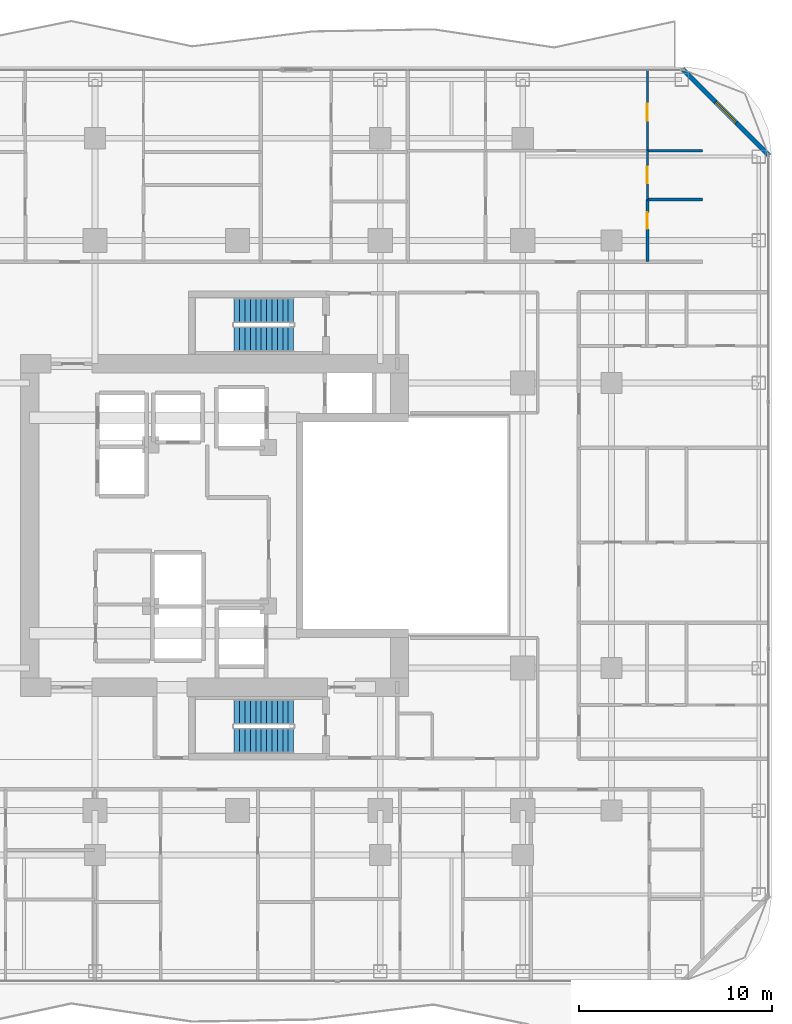
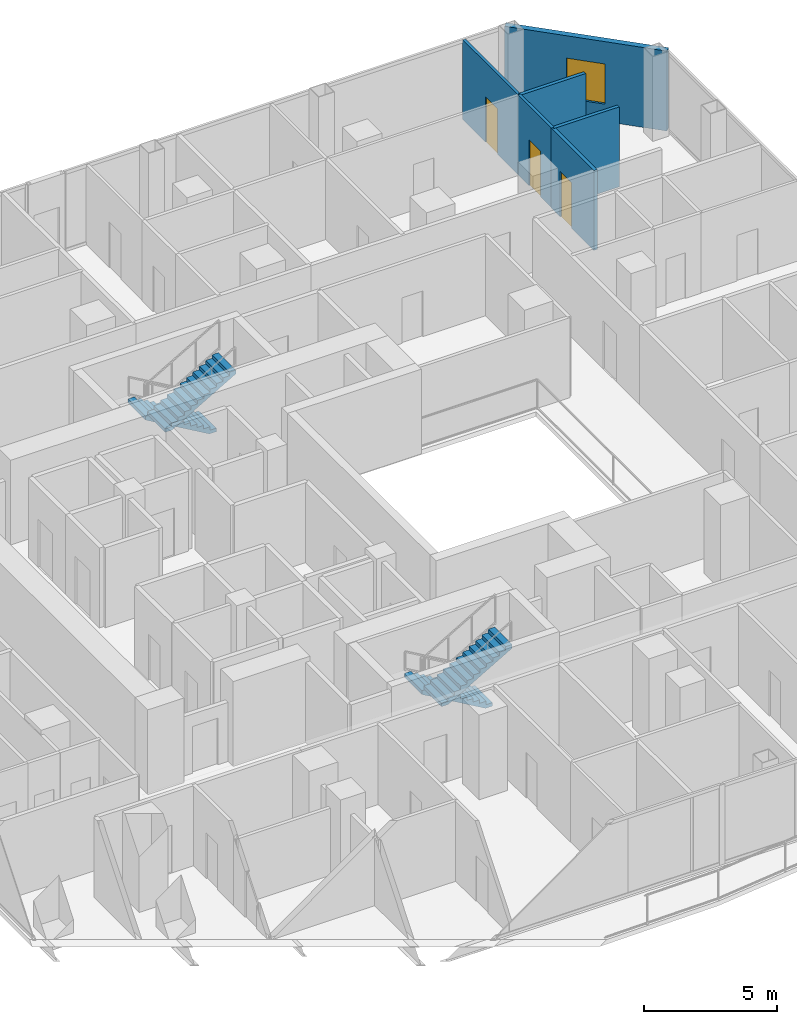
# One storey, part 26 of 29: 6 walls, 4 stair flights, 3 doors, 1 window, 4 openings, 2 elements without a shape of their own.
"""IFC4 building model written with IfcOpenShell, lengths in metres."""

from ifc_helpers import new_model, si_unit, direction, frame, frame_2d, origin, place, context, subcontext, project, spatial, polyline, rectangle, outline, extrude, material, layer, layer_set, type_object, element, fill, aggregate, save


model = new_model("IFC4")

# Units and contexts
model_context = context("Model", 3, precision=1e-05, world=origin(), true_north=direction((0.0, 1.0)))
body_context = subcontext(model_context, "Body", "Model", "MODEL_VIEW")
ifc_project = project(units=[si_unit("LENGTHUNIT", "METRE"), si_unit("AREAUNIT", "SQUARE_METRE"), si_unit("VOLUMEUNIT", "CUBIC_METRE"), si_unit("PLANEANGLEUNIT", "RADIAN"), si_unit("MASSUNIT", "GRAM", prefix="KILO")], contexts=[model_context])

# Site, building, storey
site_placement = place(None, origin())
site = spatial("IfcSite", under=ifc_project, at=site_placement, CompositionType="ELEMENT")
building_placement = place(site_placement, origin())
building = spatial("IfcBuilding", under=site, at=building_placement, Name="Khorvyn Point Tower", CompositionType="ELEMENT")
storey_placement = place(building_placement, frame((0.0, 0.0, 140.699951171875)))
storey = spatial("IfcBuildingStorey", under=building, at=storey_placement, Name="L35", CompositionType="ELEMENT", Elevation=140.699951171875)

# Wall, opening, window
ifc_material_1 = material(Name="Pale anodised aluminium rainscreen on steel stud", Category="steel")
ifc_layer_1 = layer(ifc_material_1, 0.239990234375)
ifc_layer_set_1 = layer_set([ifc_layer_1], Name="Anodised Aluminium Insulated Corner Spandrel Wall 240")
wall_type_1 = type_object("IfcWallType", Name="Anodised Aluminium Insulated Corner Spandrel Wall 240", PredefinedType="SOLIDWALL", material=ifc_layer_set_1)
wall_1_placement = place(storey_placement, frame((23.107666015625, 23.6923828125, 0.0), z_axis=(0.0, 0.0, 1.0), x_axis=(0.707087534163, -0.707126027686, 0.0)))
wall_1 = element("IfcWall", 1, at=wall_1_placement, inside=storey, type_object=wall_type_1, Name="L35 Rounded Corner Wall NE", PredefinedType="SOLIDWALL", context=body_context, shape_type="SweptSolid", body=[
    extrude(rectangle(XDim=6.34228515625, YDim=0.239990234375, at=frame_2d((3.171142578125, 0.0))), origin(), (0.0, 0.0, 1.0), 3.679931640625),
])
opening_1_placement = place(wall_1_placement, frame((2.42138671875, 0.0, 0.800048828125)))
opening_1 = element("IfcOpeningElement", 2, at=opening_1_placement, cuts=wall_1, Name="Opening WN-1518", PredefinedType="OPENING", context=body_context, shape_type="SweptSolid", body=[
    extrude(rectangle(XDim=1.5, YDim=1.85009765625, at=frame_2d((0.75, 0.925048828125))), frame((0.0, 0.1298828125, 0.0), z_axis=(0.0, -1.0, 0.0), x_axis=(1.0, 0.0, 0.0)), (0.0, 0.0, 1.0), 0.260009765625),
])
ifc_material_2 = material(Name="Anodised aluminium 6063-T6 and laminated Low-E glass", Category="aluminium")
window_type = type_object("IfcWindowType", Name="Anodised Aluminium Rounded-Corner Panoramic Window 1500x1850", PartitioningType="SINGLE_PANEL", PredefinedType="WINDOW", material=ifc_material_2)
window_placement = place(opening_1_placement, origin())
window = element("IfcWindow", 3, at=window_placement, inside=storey, type_object=window_type, Name="L35 Corner Panoramic Window NE", OverallHeight=1.85009765625, OverallWidth=1.5, PartitioningType="SINGLE_PANEL", PredefinedType="WINDOW", context=body_context, shape_type="SweptSolid", body=[
    extrude(rectangle(XDim=1.5, YDim=1.85009765625, at=frame_2d((0.75, 0.925048828125))), frame((0.0, 0.030029296875, 0.0), z_axis=(0.0, -1.0, 0.0), x_axis=(1.0, 0.0, 0.0)), (0.0, 0.0, 1.0), 0.06005859375),
])
fill(opening_1, window)

# Wall, opening, door
ifc_material_3 = material(Name="Gypsum plasterboard on steel stud", Category="steel")
ifc_layer_2 = layer(ifc_material_3, 0.1201171875)
ifc_layer_set_2 = layer_set([ifc_layer_2], Name="Gypsum Acoustic Stud Room Partition Wall 120")
wall_type_2 = type_object("IfcWallType", Name="Gypsum Acoustic Stud Room Partition Wall 120", PredefinedType="PARTITIONING", material=ifc_layer_set_2)
wall_2_placement = place(storey_placement, frame((21.27001953125, 16.923095703125, 0.0), z_axis=(0.0, 0.0, 1.0), x_axis=(0.0, 1.0, 0.0)))
wall_2 = element("IfcWall", 4, at=wall_2_placement, inside=storey, type_object=wall_type_2, Name="Wall", PredefinedType="PARTITIONING", context=body_context, shape_type="SweptSolid", body=[
    extrude(rectangle(XDim=2.531982421875, YDim=0.1201171875, at=frame_2d((1.26611328125, 0.0))), origin(), (0.0, 0.0, 1.0), 3.679931640625),
])
opening_2_placement = place(wall_2_placement, frame((0.841064453125, 0.0, 0.0)))
opening_2 = element("IfcOpeningElement", 5, at=opening_2_placement, cuts=wall_2, Name="Opening ID-WC85", PredefinedType="OPENING", context=body_context, shape_type="SweptSolid", body=[
    extrude(rectangle(XDim=0.85009765625, YDim=2.10009765625, at=frame_2d((0.425048828125, 1.050048828125))), frame((0.0, 0.070068359375, 0.0), z_axis=(0.0, -1.0, 0.0), x_axis=(1.0, 0.0, 0.0)), (0.0, 0.0, 1.0), 0.14013671875),
])
ifc_material_4 = material(Name="High-pressure laminate on moisture-resistant core", Category="wood")
door_type_1 = type_object("IfcDoorType", Name="Moisture-Resistant Accessible Washroom Door 850x2100", OperationType="NOTDEFINED", PredefinedType="DOOR", material=ifc_material_4)
door_1_placement = place(opening_2_placement, origin())
door_1 = element("IfcDoor", 6, at=door_1_placement, inside=storey, type_object=door_type_1, Name="Door", OperationType="SINGLE_SWING_RIGHT", OverallHeight=2.10009765625, OverallWidth=0.85009765625, PredefinedType="DOOR", context=body_context, shape_type="SweptSolid", body=[
    extrude(rectangle(XDim=0.85009765625, YDim=2.10009765625, at=frame_2d((0.425048828125, 1.050048828125))), frame((0.0, 0.02490234375, 0.0), z_axis=(0.0, -1.0, 0.0), x_axis=(1.0, 0.0, 0.0)), (0.0, 0.0, 1.0), 0.050048828125),
])
fill(opening_2, door_1)

wall_3_placement = place(storey_placement, frame((21.27001953125, 19.455078125, 0.0), z_axis=(0.0, 0.0, 1.0), x_axis=(0.0, 1.0, 0.0)))
wall_3 = element("IfcWall", 7, at=wall_3_placement, inside=storey, type_object=wall_type_2, Name="Wall", PredefinedType="PARTITIONING", context=body_context, shape_type="SweptSolid", body=[
    extrude(rectangle(XDim=4.1748046875, YDim=0.1201171875, at=frame_2d((2.08740234375, 0.0))), origin(), (0.0, 0.0, 1.0), 3.679931640625),
])
opening_3_placement = place(wall_3_placement, frame((1.550537109375, 0.0, 0.0)))
opening_3 = element("IfcOpeningElement", 8, at=opening_3_placement, cuts=wall_3, Name="Opening ID-RM90", PredefinedType="OPENING", context=body_context, shape_type="SweptSolid", body=[
    extrude(rectangle(XDim=0.89990234375, YDim=2.10009765625, at=frame_2d((0.449951171875, 1.050048828125))), frame((0.0, 0.070068359375, 0.0), z_axis=(0.0, -1.0, 0.0), x_axis=(1.0, 0.0, 0.0)), (0.0, 0.0, 1.0), 0.14013671875),
])
ifc_material_5 = material(Name="Engineered oak veneer timber", Category="wood")
door_type_2 = type_object("IfcDoorType", Name="Flush Engineered Timber Room Door 900x2100", OperationType="NOTDEFINED", PredefinedType="DOOR", material=ifc_material_5)
door_2_placement = place(opening_3_placement, origin())
door_2 = element("IfcDoor", 9, at=door_2_placement, inside=storey, type_object=door_type_2, Name="Door", OperationType="SINGLE_SWING_LEFT", OverallHeight=2.10009765625, OverallWidth=0.89990234375, PredefinedType="DOOR", context=body_context, shape_type="SweptSolid", body=[
    extrude(rectangle(XDim=0.89990234375, YDim=2.10009765625, at=frame_2d((0.449951171875, 1.050048828125))), frame((0.0, 0.02490234375, 0.0), z_axis=(0.0, -1.0, 0.0), x_axis=(1.0, 0.0, 0.0)), (0.0, 0.0, 1.0), 0.050048828125),
])
fill(opening_3, door_2)

ifc_material_6 = material(Name="Moisture-resistant gypsum and cement board", Category="gypsum")
ifc_layer_3 = layer(ifc_material_6, 0.14990234375)
ifc_layer_set_3 = layer_set([ifc_layer_3], Name="Moisture-Resistant Wet-Room Partition Wall 150")
wall_type_3 = type_object("IfcWallType", Name="Moisture-Resistant Wet-Room Partition Wall 150", PredefinedType="PARTITIONING", material=ifc_layer_set_3)
wall_4_placement = place(storey_placement, frame((21.27001953125, 13.699951171875, 0.0), z_axis=(0.0, 0.0, 1.0), x_axis=(0.0, 1.0, 0.0)))
wall_4 = element("IfcWall", 10, at=wall_4_placement, inside=storey, type_object=wall_type_3, Name="Wall", PredefinedType="PARTITIONING", context=body_context, shape_type="SweptSolid", body=[
    extrude(rectangle(XDim=3.22314453125, YDim=0.14990234375, at=frame_2d((1.611572265625, 0.0))), origin(), (0.0, 0.0, 1.0), 3.679931640625),
])
opening_4_placement = place(wall_4_placement, frame((1.69970703125, 0.0, 0.0)))
opening_4 = element("IfcOpeningElement", 11, at=opening_4_placement, cuts=wall_4, Name="Opening ID-WC85", PredefinedType="OPENING", context=body_context, shape_type="SweptSolid", body=[
    extrude(rectangle(XDim=0.85009765625, YDim=2.10009765625, at=frame_2d((0.425048828125, 1.050048828125))), frame((0.0, 0.0849609375, 0.0), z_axis=(0.0, -1.0, 0.0), x_axis=(1.0, 0.0, 0.0)), (0.0, 0.0, 1.0), 0.169921875),
])
door_3_placement = place(opening_4_placement, origin())
door_3 = element("IfcDoor", 12, at=door_3_placement, inside=storey, type_object=door_type_1, Name="Door", OperationType="SINGLE_SWING_LEFT", OverallHeight=2.10009765625, OverallWidth=0.85009765625, PredefinedType="DOOR", context=body_context, shape_type="SweptSolid", body=[
    extrude(rectangle(XDim=0.85009765625, YDim=2.10009765625, at=frame_2d((0.425048828125, 1.050048828125))), frame((0.0, 0.02490234375, 0.0), z_axis=(0.0, -1.0, 0.0), x_axis=(1.0, 0.0, 0.0)), (0.0, 0.0, 1.0), 0.050048828125),
])
fill(opening_4, door_3)

# Walls
for number, where, z_axis, x_axis, name in (
    (13, (21.27001953125, 16.923095703125, 0.0), (0.0, 0.0, 1.0), (1.0, 0.0, 0.0), "Wall"),
    (14, (21.27001953125, 19.455078125, 0.0), (0.0, 0.0, 1.0), (1.0, 0.0, 0.0), "Wall"),
):
    element("IfcWall", number, at=place(storey_placement, frame(where, z_axis=z_axis, x_axis=x_axis)), inside=storey, type_object=wall_type_3, Name=name, PredefinedType="PARTITIONING", context=body_context, shape_type="SweptSolid", body=[
        extrude(rectangle(XDim=2.85009765625, YDim=0.14990234375, at=frame_2d((1.425048828125, 0.0))), origin(), (0.0, 0.0, 1.0), 3.679931640625),
    ])

# Stair, stair flights
ifc_material_7 = material(Name="Concrete C40/50", Category="concrete")
stair_type = type_object("IfcStairType", Name="Tower Concrete C40/50 Dogleg Exit Stair", PredefinedType="HALF_TURN_STAIR", material=ifc_material_7)
stair_1_placement = place(storey_placement, origin())
stair_1 = element("IfcStair", 15, at=stair_1_placement, inside=storey, type_object=stair_type, Name="L35 Tower Smokeproof Exit Stair South", PredefinedType="HALF_TURN_STAIR")
stair_flight_type = type_object("IfcStairFlightType", Name="Tower Concrete C40/50 Stair Flight", PredefinedType="STRAIGHT", material=ifc_material_7)
stair_flight_1_placement = place(storey_placement, frame((2.89990234375, -9.679931640625, 0.0), z_axis=(0.0, 0.0, 1.0), x_axis=(-1.0, 0.0, 0.0)))
stair_flight_1 = element("IfcStairFlight", 16, at=stair_flight_1_placement, type_object=stair_flight_type, Name="ST-01 flight 1", NumberOfRisers=12, NumberOfTreads=11, PredefinedType="STRAIGHT", RiserHeight=0.1625, TreadLength=0.28, context=body_context, shape_type="SweptSolid", body=[
    extrude(outline(polyline([(0.0, 0.0), (0.0, 0.16259765625), (0.280029296875, 0.16259765625), (0.280029296875, 0.324951171875), (0.56005859375, 0.324951171875), (0.56005859375, 0.487548828125), (0.840087890625, 0.487548828125), (0.840087890625, 0.64990234375), (1.1201171875, 0.64990234375), (1.1201171875, 0.8125), (1.39990234375, 0.8125), (1.39990234375, 0.97509765625), (1.679931640625, 0.97509765625), (1.679931640625, 1.137451171875), (1.9599609375, 1.137451171875), (1.9599609375, 1.300048828125), (2.239990234375, 1.300048828125), (2.239990234375, 1.46240234375), (2.52001953125, 1.46240234375), (2.52001953125, 1.625), (2.800048828125, 1.625), (2.800048828125, 1.78759765625), (3.080078125, 1.78759765625), (3.080078125, 1.949951171875), (3.080078125, 1.6142578125), (0.298583984375, 0.0), (0.0, 0.0)])), frame((0.0, 0.66015625, 0.0), z_axis=(0.0, -1.0, 0.0), x_axis=(1.0, 0.0, 0.0)), (0.0, 0.0, 1.0), 1.320068359375),
])
stair_flight_2_placement = place(storey_placement, frame((-0.179931640625, -11.159912109375, 1.949951171875), z_axis=(0.0, 0.0, 1.0), x_axis=(1.0, 0.0, 0.0)))
stair_flight_2 = element("IfcStairFlight", 17, at=stair_flight_2_placement, type_object=stair_flight_type, Name="ST-01 flight 2", NumberOfRisers=12, NumberOfTreads=11, PredefinedType="STRAIGHT", RiserHeight=0.1625, TreadLength=0.28, context=body_context, shape_type="SweptSolid", body=[
    extrude(outline(polyline([(0.0, 0.0), (0.0, 0.16259765625), (0.280029296875, 0.16259765625), (0.280029296875, 0.324951171875), (0.56005859375, 0.324951171875), (0.56005859375, 0.487548828125), (0.840087890625, 0.487548828125), (0.840087890625, 0.64990234375), (1.1201171875, 0.64990234375), (1.1201171875, 0.8125), (1.39990234375, 0.8125), (1.39990234375, 0.97509765625), (1.679931640625, 0.97509765625), (1.679931640625, 1.137451171875), (1.9599609375, 1.137451171875), (1.9599609375, 1.300048828125), (2.239990234375, 1.300048828125), (2.239990234375, 1.46240234375), (2.52001953125, 1.46240234375), (2.52001953125, 1.625), (2.800048828125, 1.625), (2.800048828125, 1.78759765625), (3.080078125, 1.78759765625), (3.080078125, 1.949951171875), (3.080078125, 1.6142578125), (0.298583984375, 0.0), (0.0, 0.0)])), frame((0.0, 0.66015625, 0.0), z_axis=(0.0, -1.0, 0.0), x_axis=(1.0, 0.0, 0.0)), (0.0, 0.0, 1.0), 1.320068359375),
])
aggregate(stair_1, [stair_flight_1, stair_flight_2])

stair_2_placement = place(storey_placement, origin())
stair_2 = element("IfcStair", 18, at=stair_2_placement, inside=storey, type_object=stair_type, Name="L35 Tower Smokeproof Exit Stair North", PredefinedType="HALF_TURN_STAIR")
stair_flight_3_placement = place(storey_placement, frame((2.89990234375, 11.159912109375, 0.0), z_axis=(0.0, 0.0, 1.0), x_axis=(-1.0, 0.0, 0.0)))
stair_flight_3 = element("IfcStairFlight", 19, at=stair_flight_3_placement, type_object=stair_flight_type, Name="ST-02 flight 1", NumberOfRisers=12, NumberOfTreads=11, PredefinedType="STRAIGHT", RiserHeight=0.1625, TreadLength=0.28, context=body_context, shape_type="SweptSolid", body=[
    extrude(outline(polyline([(0.0, 0.0), (0.0, 0.16259765625), (0.280029296875, 0.16259765625), (0.280029296875, 0.324951171875), (0.56005859375, 0.324951171875), (0.56005859375, 0.487548828125), (0.840087890625, 0.487548828125), (0.840087890625, 0.64990234375), (1.1201171875, 0.64990234375), (1.1201171875, 0.8125), (1.39990234375, 0.8125), (1.39990234375, 0.97509765625), (1.679931640625, 0.97509765625), (1.679931640625, 1.137451171875), (1.9599609375, 1.137451171875), (1.9599609375, 1.300048828125), (2.239990234375, 1.300048828125), (2.239990234375, 1.46240234375), (2.52001953125, 1.46240234375), (2.52001953125, 1.625), (2.800048828125, 1.625), (2.800048828125, 1.78759765625), (3.080078125, 1.78759765625), (3.080078125, 1.949951171875), (3.080078125, 1.6142578125), (0.298583984375, 0.0), (0.0, 0.0)])), frame((0.0, 0.66015625, 0.0), z_axis=(0.0, -1.0, 0.0), x_axis=(1.0, 0.0, 0.0)), (0.0, 0.0, 1.0), 1.320068359375),
])
stair_flight_4_placement = place(storey_placement, frame((-0.179931640625, 9.679931640625, 1.949951171875), z_axis=(0.0, 0.0, 1.0), x_axis=(1.0, 0.0, 0.0)))
stair_flight_4 = element("IfcStairFlight", 20, at=stair_flight_4_placement, type_object=stair_flight_type, Name="ST-02 flight 2", NumberOfRisers=12, NumberOfTreads=11, PredefinedType="STRAIGHT", RiserHeight=0.1625, TreadLength=0.28, context=body_context, shape_type="SweptSolid", body=[
    extrude(outline(polyline([(0.0, 0.0), (0.0, 0.16259765625), (0.280029296875, 0.16259765625), (0.280029296875, 0.324951171875), (0.56005859375, 0.324951171875), (0.56005859375, 0.487548828125), (0.840087890625, 0.487548828125), (0.840087890625, 0.64990234375), (1.1201171875, 0.64990234375), (1.1201171875, 0.8125), (1.39990234375, 0.8125), (1.39990234375, 0.97509765625), (1.679931640625, 0.97509765625), (1.679931640625, 1.137451171875), (1.9599609375, 1.137451171875), (1.9599609375, 1.300048828125), (2.239990234375, 1.300048828125), (2.239990234375, 1.46240234375), (2.52001953125, 1.46240234375), (2.52001953125, 1.625), (2.800048828125, 1.625), (2.800048828125, 1.78759765625), (3.080078125, 1.78759765625), (3.080078125, 1.949951171875), (3.080078125, 1.6142578125), (0.298583984375, 0.0), (0.0, 0.0)])), frame((0.0, 0.66015625, 0.0), z_axis=(0.0, -1.0, 0.0), x_axis=(1.0, 0.0, 0.0)), (0.0, 0.0, 1.0), 1.320068359375),
])
aggregate(stair_2, [stair_flight_3, stair_flight_4])

save(model, "model.ifc")
